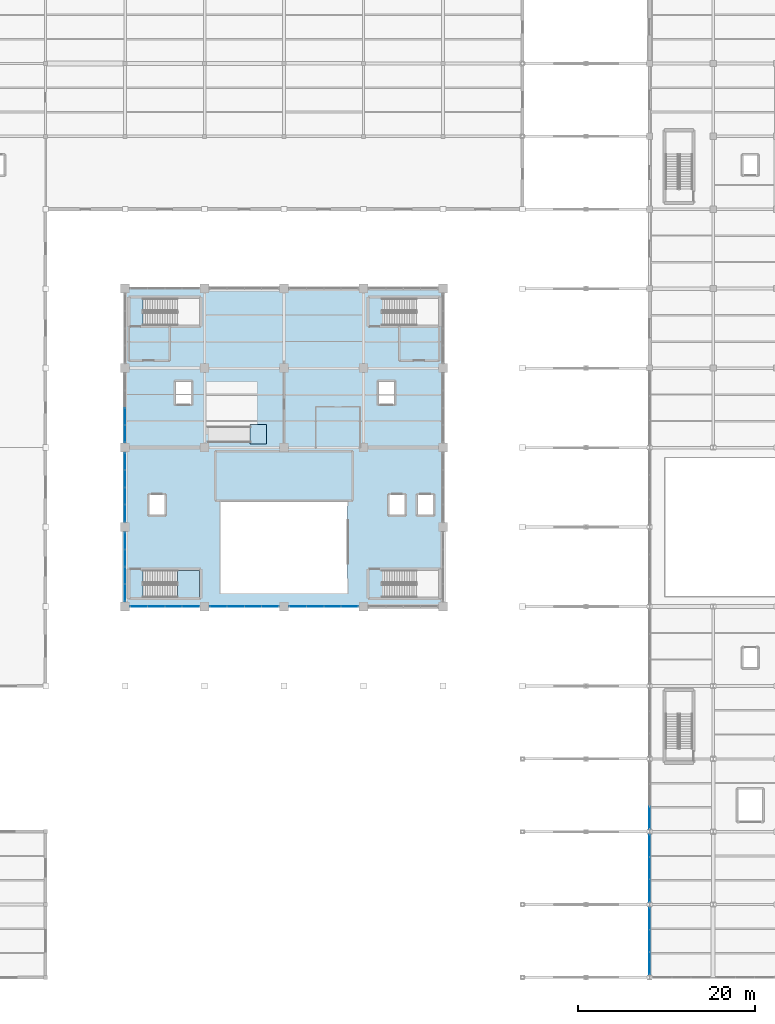
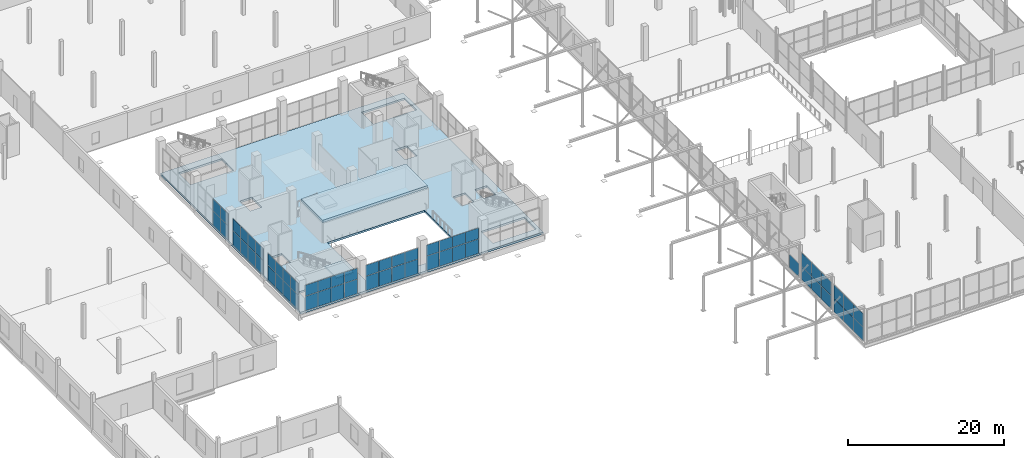
# One storey, part 113 of 147: 57 plates, 4 slabs, 10 elements without a shape of their own.
"""IFC4 building model written with IfcOpenShell, lengths in metres."""

from ifc_helpers import new_model, si_unit, direction, frame, origin, origin_2d, place, context, subcontext, project, spatial, polyline, rectangle, outline, extrude, material, layer, layer_set, type_object, element, aggregate, save


model = new_model("IFC4")

# Units and contexts
model_context = context("Model", 3, precision=1e-05, world=origin(), true_north=direction((0.0, 1.0)))
body_context = subcontext(model_context, "Body", "Model", "MODEL_VIEW")
ifc_project = project(units=[si_unit("LENGTHUNIT", "METRE"), si_unit("AREAUNIT", "SQUARE_METRE"), si_unit("VOLUMEUNIT", "CUBIC_METRE"), si_unit("PLANEANGLEUNIT", "RADIAN"), si_unit("MASSUNIT", "GRAM", prefix="KILO")], contexts=[model_context])

# Site, building, storey
site_placement = place(None, origin())
site = spatial("IfcSite", under=ifc_project, at=site_placement, CompositionType="ELEMENT")
building_placement = place(site_placement, origin())
building = spatial("IfcBuilding", under=site, at=building_placement, Name="Sundgate Opera House", CompositionType="ELEMENT")
storey_placement = place(building_placement, frame((0.0, 0.0, 6.0)))
storey = spatial("IfcBuildingStorey", under=building, at=storey_placement, Name="L01", CompositionType="ELEMENT", Elevation=6.0)

# Curtain wall, plates
ifc_material_1 = material(Name="Anodized aluminium and low-iron glass", Category="aluminium")
ifc_layer_1 = layer(ifc_material_1, 0.179931640625)
ifc_layer_set_1 = layer_set([ifc_layer_1], Name="Anodized aluminium and low-iron glass")
curtain_wall_type_1 = type_object("IfcCurtainWallType", Name="CW-FOYER-GLASS", PredefinedType="NOTDEFINED", material=ifc_layer_set_1)
curtain_wall_1_placement = place(storey_placement, origin())
curtain_wall_1 = element("IfcCurtainWall", 1, at=curtain_wall_1_placement, inside=storey, type_object=curtain_wall_type_1, Name="L01 Curtain Wall CW011", PredefinedType="NOTDEFINED")
ifc_material_2 = material(Name="Low-iron triple acoustic glazing", Category="glass")
ifc_layer_2 = layer(ifc_material_2, 0.035888671875)
ifc_layer_set_2 = layer_set([ifc_layer_2], Name="Low-iron triple acoustic glazing")
plate_type_1 = type_object("IfcPlateType", Name="CWP-CLEAR-36", PredefinedType="CURTAIN_PANEL", material=ifc_layer_set_2)
plate_1_placement = place(storey_placement, frame((43.425048828125, 42.0, 0.02001953125), z_axis=(0.0, 0.0, 1.0), x_axis=(-1.0, 0.0, 0.0)))
plate_1 = element("IfcPlate", 2, at=plate_1_placement, type_object=plate_type_1, Name="CW011 Panel 1", PredefinedType="CURTAIN_PANEL", context=body_context, shape_type="SweptSolid", body=[
    extrude(rectangle(XDim=1.909912109375, YDim=0.035888671875, at=origin_2d()), origin(), (0.0, 0.0, 1.0), 2.260009765625),
])
plate_2_placement = place(storey_placement, frame((43.425048828125, 42.0, 2.320068359375), z_axis=(0.0, 0.0, 1.0), x_axis=(-1.0, 0.0, 0.0)))
plate_2 = element("IfcPlate", 3, at=plate_2_placement, type_object=plate_type_1, Name="CW011 Panel 2", PredefinedType="CURTAIN_PANEL", context=body_context, shape_type="SweptSolid", body=[
    extrude(rectangle(XDim=1.909912109375, YDim=0.035888671875, at=origin_2d()), origin(), (0.0, 0.0, 1.0), 1.705078125),
])
plate_3_placement = place(storey_placement, frame((41.47509765625, 42.0, 0.02001953125), z_axis=(0.0, 0.0, 1.0), x_axis=(-1.0, 0.0, 0.0)))
plate_3 = element("IfcPlate", 4, at=plate_3_placement, type_object=plate_type_1, Name="CW011 Panel 3", PredefinedType="CURTAIN_PANEL", context=body_context, shape_type="SweptSolid", body=[
    extrude(rectangle(XDim=1.909912109375, YDim=0.035888671875, at=origin_2d()), origin(), (0.0, 0.0, 1.0), 2.260009765625),
])
plate_4_placement = place(storey_placement, frame((41.47509765625, 42.0, 2.320068359375), z_axis=(0.0, 0.0, 1.0), x_axis=(-1.0, 0.0, 0.0)))
plate_4 = element("IfcPlate", 5, at=plate_4_placement, type_object=plate_type_1, Name="CW011 Panel 4", PredefinedType="CURTAIN_PANEL", context=body_context, shape_type="SweptSolid", body=[
    extrude(rectangle(XDim=1.909912109375, YDim=0.035888671875, at=origin_2d()), origin(), (0.0, 0.0, 1.0), 1.705078125),
])
plate_5_placement = place(storey_placement, frame((39.52490234375, 42.0, 0.02001953125), z_axis=(0.0, 0.0, 1.0), x_axis=(-1.0, 0.0, 0.0)))
plate_5 = element("IfcPlate", 6, at=plate_5_placement, type_object=plate_type_1, Name="CW011 Panel 5", PredefinedType="CURTAIN_PANEL", context=body_context, shape_type="SweptSolid", body=[
    extrude(rectangle(XDim=1.909912109375, YDim=0.035888671875, at=origin_2d()), origin(), (0.0, 0.0, 1.0), 2.260009765625),
])
plate_6_placement = place(storey_placement, frame((39.52490234375, 42.0, 2.320068359375), z_axis=(0.0, 0.0, 1.0), x_axis=(-1.0, 0.0, 0.0)))
plate_6 = element("IfcPlate", 7, at=plate_6_placement, type_object=plate_type_1, Name="CW011 Panel 6", PredefinedType="CURTAIN_PANEL", context=body_context, shape_type="SweptSolid", body=[
    extrude(rectangle(XDim=1.909912109375, YDim=0.035888671875, at=origin_2d()), origin(), (0.0, 0.0, 1.0), 1.705078125),
])
plate_7_placement = place(storey_placement, frame((37.574951171875, 42.0, 0.02001953125), z_axis=(0.0, 0.0, 1.0), x_axis=(-1.0, 0.0, 0.0)))
plate_7 = element("IfcPlate", 8, at=plate_7_placement, type_object=plate_type_1, Name="CW011 Panel 7", PredefinedType="CURTAIN_PANEL", context=body_context, shape_type="SweptSolid", body=[
    extrude(rectangle(XDim=1.909912109375, YDim=0.035888671875, at=origin_2d()), origin(), (0.0, 0.0, 1.0), 2.260009765625),
])
plate_8_placement = place(storey_placement, frame((37.574951171875, 42.0, 2.320068359375), z_axis=(0.0, 0.0, 1.0), x_axis=(-1.0, 0.0, 0.0)))
plate_8 = element("IfcPlate", 9, at=plate_8_placement, type_object=plate_type_1, Name="CW011 Panel 8", PredefinedType="CURTAIN_PANEL", context=body_context, shape_type="SweptSolid", body=[
    extrude(rectangle(XDim=1.909912109375, YDim=0.035888671875, at=origin_2d()), origin(), (0.0, 0.0, 1.0), 1.705078125),
])
aggregate(curtain_wall_1, [plate_1, plate_2, plate_3, plate_4, plate_5, plate_6, plate_7, plate_8])

curtain_wall_2_placement = place(storey_placement, origin())
curtain_wall_2 = element("IfcCurtainWall", 10, at=curtain_wall_2_placement, inside=storey, type_object=curtain_wall_type_1, Name="L01 Curtain Wall CW012", PredefinedType="NOTDEFINED")
plate_9_placement = place(storey_placement, frame((52.425048828125, 42.0, 0.02001953125), z_axis=(0.0, 0.0, 1.0), x_axis=(-1.0, 0.0, 0.0)))
plate_9 = element("IfcPlate", 11, at=plate_9_placement, type_object=plate_type_1, Name="CW012 Panel 1", PredefinedType="CURTAIN_PANEL", context=body_context, shape_type="SweptSolid", body=[
    extrude(rectangle(XDim=1.909912109375, YDim=0.035888671875, at=origin_2d()), origin(), (0.0, 0.0, 1.0), 2.260009765625),
])
plate_10_placement = place(storey_placement, frame((52.425048828125, 42.0, 2.320068359375), z_axis=(0.0, 0.0, 1.0), x_axis=(-1.0, 0.0, 0.0)))
plate_10 = element("IfcPlate", 12, at=plate_10_placement, type_object=plate_type_1, Name="CW012 Panel 2", PredefinedType="CURTAIN_PANEL", context=body_context, shape_type="SweptSolid", body=[
    extrude(rectangle(XDim=1.909912109375, YDim=0.035888671875, at=origin_2d()), origin(), (0.0, 0.0, 1.0), 1.705078125),
])
plate_11_placement = place(storey_placement, frame((50.47509765625, 42.0, 0.02001953125), z_axis=(0.0, 0.0, 1.0), x_axis=(-1.0, 0.0, 0.0)))
plate_11 = element("IfcPlate", 13, at=plate_11_placement, type_object=plate_type_1, Name="CW012 Panel 3", PredefinedType="CURTAIN_PANEL", context=body_context, shape_type="SweptSolid", body=[
    extrude(rectangle(XDim=1.909912109375, YDim=0.035888671875, at=origin_2d()), origin(), (0.0, 0.0, 1.0), 2.260009765625),
])
plate_12_placement = place(storey_placement, frame((50.47509765625, 42.0, 2.320068359375), z_axis=(0.0, 0.0, 1.0), x_axis=(-1.0, 0.0, 0.0)))
plate_12 = element("IfcPlate", 14, at=plate_12_placement, type_object=plate_type_1, Name="CW012 Panel 4", PredefinedType="CURTAIN_PANEL", context=body_context, shape_type="SweptSolid", body=[
    extrude(rectangle(XDim=1.909912109375, YDim=0.035888671875, at=origin_2d()), origin(), (0.0, 0.0, 1.0), 1.705078125),
])
plate_13_placement = place(storey_placement, frame((48.52490234375, 42.0, 0.02001953125), z_axis=(0.0, 0.0, 1.0), x_axis=(-1.0, 0.0, 0.0)))
plate_13 = element("IfcPlate", 15, at=plate_13_placement, type_object=plate_type_1, Name="CW012 Panel 5", PredefinedType="CURTAIN_PANEL", context=body_context, shape_type="SweptSolid", body=[
    extrude(rectangle(XDim=1.909912109375, YDim=0.035888671875, at=origin_2d()), origin(), (0.0, 0.0, 1.0), 2.260009765625),
])
plate_14_placement = place(storey_placement, frame((48.52490234375, 42.0, 2.320068359375), z_axis=(0.0, 0.0, 1.0), x_axis=(-1.0, 0.0, 0.0)))
plate_14 = element("IfcPlate", 16, at=plate_14_placement, type_object=plate_type_1, Name="CW012 Panel 6", PredefinedType="CURTAIN_PANEL", context=body_context, shape_type="SweptSolid", body=[
    extrude(rectangle(XDim=1.909912109375, YDim=0.035888671875, at=origin_2d()), origin(), (0.0, 0.0, 1.0), 1.705078125),
])
plate_15_placement = place(storey_placement, frame((46.574951171875, 42.0, 0.02001953125), z_axis=(0.0, 0.0, 1.0), x_axis=(-1.0, 0.0, 0.0)))
plate_15 = element("IfcPlate", 17, at=plate_15_placement, type_object=plate_type_1, Name="CW012 Panel 7", PredefinedType="CURTAIN_PANEL", context=body_context, shape_type="SweptSolid", body=[
    extrude(rectangle(XDim=1.909912109375, YDim=0.035888671875, at=origin_2d()), origin(), (0.0, 0.0, 1.0), 2.260009765625),
])
plate_16_placement = place(storey_placement, frame((46.574951171875, 42.0, 2.320068359375), z_axis=(0.0, 0.0, 1.0), x_axis=(-1.0, 0.0, 0.0)))
plate_16 = element("IfcPlate", 18, at=plate_16_placement, type_object=plate_type_1, Name="CW012 Panel 8", PredefinedType="CURTAIN_PANEL", context=body_context, shape_type="SweptSolid", body=[
    extrude(rectangle(XDim=1.909912109375, YDim=0.035888671875, at=origin_2d()), origin(), (0.0, 0.0, 1.0), 1.705078125),
])
aggregate(curtain_wall_2, [plate_9, plate_10, plate_11, plate_12, plate_13, plate_14, plate_15, plate_16])

curtain_wall_3_placement = place(storey_placement, origin())
curtain_wall_3 = element("IfcCurtainWall", 19, at=curtain_wall_3_placement, inside=storey, type_object=curtain_wall_type_1, Name="L01 Curtain Wall CW013", PredefinedType="NOTDEFINED")
plate_17_placement = place(storey_placement, frame((61.425048828125, 42.0, 0.02001953125), z_axis=(0.0, 0.0, 1.0), x_axis=(-1.0, 0.0, 0.0)))
plate_17 = element("IfcPlate", 20, at=plate_17_placement, type_object=plate_type_1, Name="CW013 Panel 1", PredefinedType="CURTAIN_PANEL", context=body_context, shape_type="SweptSolid", body=[
    extrude(rectangle(XDim=1.909912109375, YDim=0.035888671875, at=origin_2d()), origin(), (0.0, 0.0, 1.0), 2.260009765625),
])
plate_18_placement = place(storey_placement, frame((61.425048828125, 42.0, 2.320068359375), z_axis=(0.0, 0.0, 1.0), x_axis=(-1.0, 0.0, 0.0)))
plate_18 = element("IfcPlate", 21, at=plate_18_placement, type_object=plate_type_1, Name="CW013 Panel 2", PredefinedType="CURTAIN_PANEL", context=body_context, shape_type="SweptSolid", body=[
    extrude(rectangle(XDim=1.909912109375, YDim=0.035888671875, at=origin_2d()), origin(), (0.0, 0.0, 1.0), 1.705078125),
])
plate_19_placement = place(storey_placement, frame((59.47509765625, 42.0, 0.02001953125), z_axis=(0.0, 0.0, 1.0), x_axis=(-1.0, 0.0, 0.0)))
plate_19 = element("IfcPlate", 22, at=plate_19_placement, type_object=plate_type_1, Name="CW013 Panel 3", PredefinedType="CURTAIN_PANEL", context=body_context, shape_type="SweptSolid", body=[
    extrude(rectangle(XDim=1.909912109375, YDim=0.035888671875, at=origin_2d()), origin(), (0.0, 0.0, 1.0), 2.260009765625),
])
plate_20_placement = place(storey_placement, frame((59.47509765625, 42.0, 2.320068359375), z_axis=(0.0, 0.0, 1.0), x_axis=(-1.0, 0.0, 0.0)))
plate_20 = element("IfcPlate", 23, at=plate_20_placement, type_object=plate_type_1, Name="CW013 Panel 4", PredefinedType="CURTAIN_PANEL", context=body_context, shape_type="SweptSolid", body=[
    extrude(rectangle(XDim=1.909912109375, YDim=0.035888671875, at=origin_2d()), origin(), (0.0, 0.0, 1.0), 1.705078125),
])
plate_21_placement = place(storey_placement, frame((57.52490234375, 42.0, 0.02001953125), z_axis=(0.0, 0.0, 1.0), x_axis=(-1.0, 0.0, 0.0)))
plate_21 = element("IfcPlate", 24, at=plate_21_placement, type_object=plate_type_1, Name="CW013 Panel 5", PredefinedType="CURTAIN_PANEL", context=body_context, shape_type="SweptSolid", body=[
    extrude(rectangle(XDim=1.909912109375, YDim=0.035888671875, at=origin_2d()), origin(), (0.0, 0.0, 1.0), 2.260009765625),
])
plate_22_placement = place(storey_placement, frame((57.52490234375, 42.0, 2.320068359375), z_axis=(0.0, 0.0, 1.0), x_axis=(-1.0, 0.0, 0.0)))
plate_22 = element("IfcPlate", 25, at=plate_22_placement, type_object=plate_type_1, Name="CW013 Panel 6", PredefinedType="CURTAIN_PANEL", context=body_context, shape_type="SweptSolid", body=[
    extrude(rectangle(XDim=1.909912109375, YDim=0.035888671875, at=origin_2d()), origin(), (0.0, 0.0, 1.0), 1.705078125),
])
plate_23_placement = place(storey_placement, frame((55.574951171875, 42.0, 0.02001953125), z_axis=(0.0, 0.0, 1.0), x_axis=(-1.0, 0.0, 0.0)))
plate_23 = element("IfcPlate", 26, at=plate_23_placement, type_object=plate_type_1, Name="CW013 Panel 7", PredefinedType="CURTAIN_PANEL", context=body_context, shape_type="SweptSolid", body=[
    extrude(rectangle(XDim=1.909912109375, YDim=0.035888671875, at=origin_2d()), origin(), (0.0, 0.0, 1.0), 2.260009765625),
])
plate_24_placement = place(storey_placement, frame((55.574951171875, 42.0, 2.320068359375), z_axis=(0.0, 0.0, 1.0), x_axis=(-1.0, 0.0, 0.0)))
plate_24 = element("IfcPlate", 27, at=plate_24_placement, type_object=plate_type_1, Name="CW013 Panel 8", PredefinedType="CURTAIN_PANEL", context=body_context, shape_type="SweptSolid", body=[
    extrude(rectangle(XDim=1.909912109375, YDim=0.035888671875, at=origin_2d()), origin(), (0.0, 0.0, 1.0), 1.705078125),
])
aggregate(curtain_wall_3, [plate_17, plate_18, plate_19, plate_20, plate_21, plate_22, plate_23, plate_24])

curtain_wall_4_placement = place(storey_placement, origin())
curtain_wall_4 = element("IfcCurtainWall", 28, at=curtain_wall_4_placement, inside=storey, type_object=curtain_wall_type_1, Name="L01 Curtain Wall CW019", PredefinedType="NOTDEFINED")
plate_25_placement = place(storey_placement, frame((36.0, 49.425048828125, 0.02001953125), z_axis=(0.0, 0.0, 1.0), x_axis=(0.0, -1.0, 0.0)))
plate_25 = element("IfcPlate", 29, at=plate_25_placement, type_object=plate_type_1, Name="CW019 Panel 1", PredefinedType="CURTAIN_PANEL", context=body_context, shape_type="SweptSolid", body=[
    extrude(rectangle(XDim=1.909912109375, YDim=0.035888671875, at=origin_2d()), origin(), (0.0, 0.0, 1.0), 2.260009765625),
])
plate_26_placement = place(storey_placement, frame((36.0, 49.425048828125, 2.320068359375), z_axis=(0.0, 0.0, 1.0), x_axis=(0.0, -1.0, 0.0)))
plate_26 = element("IfcPlate", 30, at=plate_26_placement, type_object=plate_type_1, Name="CW019 Panel 2", PredefinedType="CURTAIN_PANEL", context=body_context, shape_type="SweptSolid", body=[
    extrude(rectangle(XDim=1.909912109375, YDim=0.035888671875, at=origin_2d()), origin(), (0.0, 0.0, 1.0), 1.875),
])
plate_27_placement = place(storey_placement, frame((36.0, 47.47509765625, 0.02001953125), z_axis=(0.0, 0.0, 1.0), x_axis=(0.0, -1.0, 0.0)))
plate_27 = element("IfcPlate", 31, at=plate_27_placement, type_object=plate_type_1, Name="CW019 Panel 3", PredefinedType="CURTAIN_PANEL", context=body_context, shape_type="SweptSolid", body=[
    extrude(rectangle(XDim=1.909912109375, YDim=0.035888671875, at=origin_2d()), origin(), (0.0, 0.0, 1.0), 2.260009765625),
])
plate_28_placement = place(storey_placement, frame((36.0, 47.47509765625, 2.320068359375), z_axis=(0.0, 0.0, 1.0), x_axis=(0.0, -1.0, 0.0)))
plate_28 = element("IfcPlate", 32, at=plate_28_placement, type_object=plate_type_1, Name="CW019 Panel 4", PredefinedType="CURTAIN_PANEL", context=body_context, shape_type="SweptSolid", body=[
    extrude(rectangle(XDim=1.909912109375, YDim=0.035888671875, at=origin_2d()), origin(), (0.0, 0.0, 1.0), 1.875),
])
plate_29_placement = place(storey_placement, frame((36.0, 45.52490234375, 0.02001953125), z_axis=(0.0, 0.0, 1.0), x_axis=(0.0, -1.0, 0.0)))
plate_29 = element("IfcPlate", 33, at=plate_29_placement, type_object=plate_type_1, Name="CW019 Panel 5", PredefinedType="CURTAIN_PANEL", context=body_context, shape_type="SweptSolid", body=[
    extrude(rectangle(XDim=1.909912109375, YDim=0.035888671875, at=origin_2d()), origin(), (0.0, 0.0, 1.0), 2.260009765625),
])
plate_30_placement = place(storey_placement, frame((36.0, 45.52490234375, 2.320068359375), z_axis=(0.0, 0.0, 1.0), x_axis=(0.0, -1.0, 0.0)))
plate_30 = element("IfcPlate", 34, at=plate_30_placement, type_object=plate_type_1, Name="CW019 Panel 6", PredefinedType="CURTAIN_PANEL", context=body_context, shape_type="SweptSolid", body=[
    extrude(rectangle(XDim=1.909912109375, YDim=0.035888671875, at=origin_2d()), origin(), (0.0, 0.0, 1.0), 1.875),
])
plate_31_placement = place(storey_placement, frame((36.0, 43.574951171875, 0.02001953125), z_axis=(0.0, 0.0, 1.0), x_axis=(0.0, -1.0, 0.0)))
plate_31 = element("IfcPlate", 35, at=plate_31_placement, type_object=plate_type_1, Name="CW019 Panel 7", PredefinedType="CURTAIN_PANEL", context=body_context, shape_type="SweptSolid", body=[
    extrude(rectangle(XDim=1.909912109375, YDim=0.035888671875, at=origin_2d()), origin(), (0.0, 0.0, 1.0), 2.260009765625),
])
plate_32_placement = place(storey_placement, frame((36.0, 43.574951171875, 2.320068359375), z_axis=(0.0, 0.0, 1.0), x_axis=(0.0, -1.0, 0.0)))
plate_32 = element("IfcPlate", 36, at=plate_32_placement, type_object=plate_type_1, Name="CW019 Panel 8", PredefinedType="CURTAIN_PANEL", context=body_context, shape_type="SweptSolid", body=[
    extrude(rectangle(XDim=1.909912109375, YDim=0.035888671875, at=origin_2d()), origin(), (0.0, 0.0, 1.0), 1.875),
])
aggregate(curtain_wall_4, [plate_25, plate_26, plate_27, plate_28, plate_29, plate_30, plate_31, plate_32])

curtain_wall_5_placement = place(storey_placement, origin())
curtain_wall_5 = element("IfcCurtainWall", 37, at=curtain_wall_5_placement, inside=storey, type_object=curtain_wall_type_1, Name="L01 Curtain Wall CW020", PredefinedType="NOTDEFINED")
plate_33_placement = place(storey_placement, frame((36.0, 58.425048828125, 0.02001953125), z_axis=(0.0, 0.0, 1.0), x_axis=(0.0, -1.0, 0.0)))
plate_33 = element("IfcPlate", 38, at=plate_33_placement, type_object=plate_type_1, Name="CW020 Panel 1", PredefinedType="CURTAIN_PANEL", context=body_context, shape_type="SweptSolid", body=[
    extrude(rectangle(XDim=1.909912109375, YDim=0.035888671875, at=origin_2d()), origin(), (0.0, 0.0, 1.0), 2.260009765625),
])
plate_34_placement = place(storey_placement, frame((36.0, 58.425048828125, 2.320068359375), z_axis=(0.0, 0.0, 1.0), x_axis=(0.0, -1.0, 0.0)))
plate_34 = element("IfcPlate", 39, at=plate_34_placement, type_object=plate_type_1, Name="CW020 Panel 2", PredefinedType="CURTAIN_PANEL", context=body_context, shape_type="SweptSolid", body=[
    extrude(rectangle(XDim=1.909912109375, YDim=0.035888671875, at=origin_2d()), origin(), (0.0, 0.0, 1.0), 1.875),
])
plate_35_placement = place(storey_placement, frame((36.0, 56.47509765625, 0.02001953125), z_axis=(0.0, 0.0, 1.0), x_axis=(0.0, -1.0, 0.0)))
plate_35 = element("IfcPlate", 40, at=plate_35_placement, type_object=plate_type_1, Name="CW020 Panel 3", PredefinedType="CURTAIN_PANEL", context=body_context, shape_type="SweptSolid", body=[
    extrude(rectangle(XDim=1.909912109375, YDim=0.035888671875, at=origin_2d()), origin(), (0.0, 0.0, 1.0), 2.260009765625),
])
plate_36_placement = place(storey_placement, frame((36.0, 56.47509765625, 2.320068359375), z_axis=(0.0, 0.0, 1.0), x_axis=(0.0, -1.0, 0.0)))
plate_36 = element("IfcPlate", 41, at=plate_36_placement, type_object=plate_type_1, Name="CW020 Panel 4", PredefinedType="CURTAIN_PANEL", context=body_context, shape_type="SweptSolid", body=[
    extrude(rectangle(XDim=1.909912109375, YDim=0.035888671875, at=origin_2d()), origin(), (0.0, 0.0, 1.0), 1.875),
])
plate_37_placement = place(storey_placement, frame((36.0, 54.52490234375, 0.02001953125), z_axis=(0.0, 0.0, 1.0), x_axis=(0.0, -1.0, 0.0)))
plate_37 = element("IfcPlate", 42, at=plate_37_placement, type_object=plate_type_1, Name="CW020 Panel 5", PredefinedType="CURTAIN_PANEL", context=body_context, shape_type="SweptSolid", body=[
    extrude(rectangle(XDim=1.909912109375, YDim=0.035888671875, at=origin_2d()), origin(), (0.0, 0.0, 1.0), 2.260009765625),
])
plate_38_placement = place(storey_placement, frame((36.0, 54.52490234375, 2.320068359375), z_axis=(0.0, 0.0, 1.0), x_axis=(0.0, -1.0, 0.0)))
plate_38 = element("IfcPlate", 43, at=plate_38_placement, type_object=plate_type_1, Name="CW020 Panel 6", PredefinedType="CURTAIN_PANEL", context=body_context, shape_type="SweptSolid", body=[
    extrude(rectangle(XDim=1.909912109375, YDim=0.035888671875, at=origin_2d()), origin(), (0.0, 0.0, 1.0), 1.875),
])
plate_39_placement = place(storey_placement, frame((36.0, 52.574951171875, 0.02001953125), z_axis=(0.0, 0.0, 1.0), x_axis=(0.0, -1.0, 0.0)))
plate_39 = element("IfcPlate", 44, at=plate_39_placement, type_object=plate_type_1, Name="CW020 Panel 7", PredefinedType="CURTAIN_PANEL", context=body_context, shape_type="SweptSolid", body=[
    extrude(rectangle(XDim=1.909912109375, YDim=0.035888671875, at=origin_2d()), origin(), (0.0, 0.0, 1.0), 2.260009765625),
])
plate_40_placement = place(storey_placement, frame((36.0, 52.574951171875, 2.320068359375), z_axis=(0.0, 0.0, 1.0), x_axis=(0.0, -1.0, 0.0)))
plate_40 = element("IfcPlate", 45, at=plate_40_placement, type_object=plate_type_1, Name="CW020 Panel 8", PredefinedType="CURTAIN_PANEL", context=body_context, shape_type="SweptSolid", body=[
    extrude(rectangle(XDim=1.909912109375, YDim=0.035888671875, at=origin_2d()), origin(), (0.0, 0.0, 1.0), 1.875),
])
aggregate(curtain_wall_5, [plate_33, plate_34, plate_35, plate_36, plate_37, plate_38, plate_39, plate_40])

curtain_wall_6_placement = place(storey_placement, origin())
curtain_wall_6 = element("IfcCurtainWall", 46, at=curtain_wall_6_placement, inside=storey, type_object=curtain_wall_type_1, Name="L01 Curtain Wall CW021", PredefinedType="NOTDEFINED")
plate_41_placement = place(storey_placement, frame((36.0, 63.52490234375, 0.02001953125), z_axis=(0.0, 0.0, 1.0), x_axis=(0.0, -1.0, 0.0)))
plate_41 = element("IfcPlate", 47, at=plate_41_placement, type_object=plate_type_1, Name="CW021 Panel 5", PredefinedType="CURTAIN_PANEL", context=body_context, shape_type="SweptSolid", body=[
    extrude(rectangle(XDim=1.909912109375, YDim=0.035888671875, at=origin_2d()), origin(), (0.0, 0.0, 1.0), 2.260009765625),
])
plate_42_placement = place(storey_placement, frame((36.0, 63.52490234375, 2.320068359375), z_axis=(0.0, 0.0, 1.0), x_axis=(0.0, -1.0, 0.0)))
plate_42 = element("IfcPlate", 48, at=plate_42_placement, type_object=plate_type_1, Name="CW021 Panel 6", PredefinedType="CURTAIN_PANEL", context=body_context, shape_type="SweptSolid", body=[
    extrude(rectangle(XDim=1.909912109375, YDim=0.035888671875, at=origin_2d()), origin(), (0.0, 0.0, 1.0), 1.875),
])
plate_43_placement = place(storey_placement, frame((36.0, 61.574951171875, 0.02001953125), z_axis=(0.0, 0.0, 1.0), x_axis=(0.0, -1.0, 0.0)))
plate_43 = element("IfcPlate", 49, at=plate_43_placement, type_object=plate_type_1, Name="CW021 Panel 7", PredefinedType="CURTAIN_PANEL", context=body_context, shape_type="SweptSolid", body=[
    extrude(rectangle(XDim=1.909912109375, YDim=0.035888671875, at=origin_2d()), origin(), (0.0, 0.0, 1.0), 2.260009765625),
])
plate_44_placement = place(storey_placement, frame((36.0, 61.574951171875, 2.320068359375), z_axis=(0.0, 0.0, 1.0), x_axis=(0.0, -1.0, 0.0)))
plate_44 = element("IfcPlate", 50, at=plate_44_placement, type_object=plate_type_1, Name="CW021 Panel 8", PredefinedType="CURTAIN_PANEL", context=body_context, shape_type="SweptSolid", body=[
    extrude(rectangle(XDim=1.909912109375, YDim=0.035888671875, at=origin_2d()), origin(), (0.0, 0.0, 1.0), 1.875),
])
aggregate(curtain_wall_6, [plate_41, plate_42, plate_43, plate_44])

ifc_material_3 = material(Name="Anodized aluminium and low-iron glass", Category="aluminium")
ifc_layer_3 = layer(ifc_material_3, 0.14990234375)
ifc_layer_set_3 = layer_set([ifc_layer_3], Name="Anodized aluminium and low-iron glass")
curtain_wall_type_2 = type_object("IfcCurtainWallType", Name="CW-WORKSHOP-DARK", PredefinedType="NOTDEFINED", material=ifc_layer_set_3)
curtain_wall_7_placement = place(storey_placement, origin())
curtain_wall_7 = element("IfcCurtainWall", 51, at=curtain_wall_7_placement, inside=storey, type_object=curtain_wall_type_2, Name="L01 Curtain Wall CW144", PredefinedType="NOTDEFINED")
ifc_material_4 = material(Name="Dark solar-control triple acoustic glazing", Category="glass")
ifc_layer_4 = layer(ifc_material_4, 0.031982421875)
ifc_layer_set_4 = layer_set([ifc_layer_4], Name="Dark solar-control triple acoustic glazing")
plate_type_2 = type_object("IfcPlateType", Name="CWP-DARK-32", PredefinedType="CURTAIN_PANEL", material=ifc_layer_set_4)
plate_45_placement = place(storey_placement, frame((95.39990234375, 6.658447265625, 0.02001953125), z_axis=(0.0, 0.0, 1.0), x_axis=(0.0, -1.0, 0.0)))
plate_45 = element("IfcPlate", 52, at=plate_45_placement, type_object=plate_type_2, Name="CW144 Panel 1", PredefinedType="CURTAIN_PANEL", context=body_context, shape_type="SweptSolid", body=[
    extrude(rectangle(XDim=2.493408203125, YDim=0.031982421875, at=origin_2d()), origin(), (0.0, 0.0, 1.0), 2.06005859375),
])
plate_46_placement = place(storey_placement, frame((95.39990234375, 6.658447265625, 2.1201171875), z_axis=(0.0, 0.0, 1.0), x_axis=(0.0, -1.0, 0.0)))
plate_46 = element("IfcPlate", 53, at=plate_46_placement, type_object=plate_type_2, Name="CW144 Panel 2", PredefinedType="CURTAIN_PANEL", context=body_context, shape_type="SweptSolid", body=[
    extrude(rectangle(XDim=2.493408203125, YDim=0.031982421875, at=origin_2d()), origin(), (0.0, 0.0, 1.0), 2.125),
])
plate_47_placement = place(storey_placement, frame((95.39990234375, 4.125, 0.02001953125), z_axis=(0.0, 0.0, 1.0), x_axis=(0.0, -1.0, 0.0)))
plate_47 = element("IfcPlate", 54, at=plate_47_placement, type_object=plate_type_2, Name="CW144 Panel 3", PredefinedType="CURTAIN_PANEL", context=body_context, shape_type="SweptSolid", body=[
    extrude(rectangle(XDim=2.493408203125, YDim=0.031982421875, at=origin_2d()), origin(), (0.0, 0.0, 1.0), 2.06005859375),
])
plate_48_placement = place(storey_placement, frame((95.39990234375, 4.125, 2.1201171875), z_axis=(0.0, 0.0, 1.0), x_axis=(0.0, -1.0, 0.0)))
plate_48 = element("IfcPlate", 55, at=plate_48_placement, type_object=plate_type_2, Name="CW144 Panel 4", PredefinedType="CURTAIN_PANEL", context=body_context, shape_type="SweptSolid", body=[
    extrude(rectangle(XDim=2.493408203125, YDim=0.031982421875, at=origin_2d()), origin(), (0.0, 0.0, 1.0), 2.125),
])
plate_49_placement = place(storey_placement, frame((95.39990234375, 1.591552734375, 0.02001953125), z_axis=(0.0, 0.0, 1.0), x_axis=(0.0, -1.0, 0.0)))
plate_49 = element("IfcPlate", 56, at=plate_49_placement, type_object=plate_type_2, Name="CW144 Panel 5", PredefinedType="CURTAIN_PANEL", context=body_context, shape_type="SweptSolid", body=[
    extrude(rectangle(XDim=2.493408203125, YDim=0.031982421875, at=origin_2d()), origin(), (0.0, 0.0, 1.0), 2.06005859375),
])
plate_50_placement = place(storey_placement, frame((95.39990234375, 1.591552734375, 2.1201171875), z_axis=(0.0, 0.0, 1.0), x_axis=(0.0, -1.0, 0.0)))
plate_50 = element("IfcPlate", 57, at=plate_50_placement, type_object=plate_type_2, Name="CW144 Panel 6", PredefinedType="CURTAIN_PANEL", context=body_context, shape_type="SweptSolid", body=[
    extrude(rectangle(XDim=2.493408203125, YDim=0.031982421875, at=origin_2d()), origin(), (0.0, 0.0, 1.0), 2.125),
])
aggregate(curtain_wall_7, [plate_45, plate_46, plate_47, plate_48, plate_49, plate_50])

curtain_wall_8_placement = place(storey_placement, origin())
curtain_wall_8 = element("IfcCurtainWall", 58, at=curtain_wall_8_placement, inside=storey, type_object=curtain_wall_type_2, Name="L01 Curtain Wall CW145", PredefinedType="NOTDEFINED")
plate_51_placement = place(storey_placement, frame((95.39990234375, 14.908447265625, 0.02001953125), z_axis=(0.0, 0.0, 1.0), x_axis=(0.0, -1.0, 0.0)))
plate_51 = element("IfcPlate", 59, at=plate_51_placement, type_object=plate_type_2, Name="CW145 Panel 1", PredefinedType="CURTAIN_PANEL", context=body_context, shape_type="SweptSolid", body=[
    extrude(rectangle(XDim=2.493408203125, YDim=0.031982421875, at=origin_2d()), origin(), (0.0, 0.0, 1.0), 2.06005859375),
])
plate_52_placement = place(storey_placement, frame((95.39990234375, 14.908447265625, 2.1201171875), z_axis=(0.0, 0.0, 1.0), x_axis=(0.0, -1.0, 0.0)))
plate_52 = element("IfcPlate", 60, at=plate_52_placement, type_object=plate_type_2, Name="CW145 Panel 2", PredefinedType="CURTAIN_PANEL", context=body_context, shape_type="SweptSolid", body=[
    extrude(rectangle(XDim=2.493408203125, YDim=0.031982421875, at=origin_2d()), origin(), (0.0, 0.0, 1.0), 2.125),
])
plate_53_placement = place(storey_placement, frame((95.39990234375, 12.375, 0.02001953125), z_axis=(0.0, 0.0, 1.0), x_axis=(0.0, -1.0, 0.0)))
plate_53 = element("IfcPlate", 61, at=plate_53_placement, type_object=plate_type_2, Name="CW145 Panel 3", PredefinedType="CURTAIN_PANEL", context=body_context, shape_type="SweptSolid", body=[
    extrude(rectangle(XDim=2.493408203125, YDim=0.031982421875, at=origin_2d()), origin(), (0.0, 0.0, 1.0), 2.06005859375),
])
plate_54_placement = place(storey_placement, frame((95.39990234375, 12.375, 2.1201171875), z_axis=(0.0, 0.0, 1.0), x_axis=(0.0, -1.0, 0.0)))
plate_54 = element("IfcPlate", 62, at=plate_54_placement, type_object=plate_type_2, Name="CW145 Panel 4", PredefinedType="CURTAIN_PANEL", context=body_context, shape_type="SweptSolid", body=[
    extrude(rectangle(XDim=2.493408203125, YDim=0.031982421875, at=origin_2d()), origin(), (0.0, 0.0, 1.0), 2.125),
])
plate_55_placement = place(storey_placement, frame((95.39990234375, 9.841552734375, 0.02001953125), z_axis=(0.0, 0.0, 1.0), x_axis=(0.0, -1.0, 0.0)))
plate_55 = element("IfcPlate", 63, at=plate_55_placement, type_object=plate_type_2, Name="CW145 Panel 5", PredefinedType="CURTAIN_PANEL", context=body_context, shape_type="SweptSolid", body=[
    extrude(rectangle(XDim=2.493408203125, YDim=0.031982421875, at=origin_2d()), origin(), (0.0, 0.0, 1.0), 2.06005859375),
])
plate_56_placement = place(storey_placement, frame((95.39990234375, 9.841552734375, 2.1201171875), z_axis=(0.0, 0.0, 1.0), x_axis=(0.0, -1.0, 0.0)))
plate_56 = element("IfcPlate", 64, at=plate_56_placement, type_object=plate_type_2, Name="CW145 Panel 6", PredefinedType="CURTAIN_PANEL", context=body_context, shape_type="SweptSolid", body=[
    extrude(rectangle(XDim=2.493408203125, YDim=0.031982421875, at=origin_2d()), origin(), (0.0, 0.0, 1.0), 2.125),
])
aggregate(curtain_wall_8, [plate_51, plate_52, plate_53, plate_54, plate_55, plate_56])

# Curtain wall, plate
curtain_wall_9_placement = place(storey_placement, origin())
curtain_wall_9 = element("IfcCurtainWall", 65, at=curtain_wall_9_placement, inside=storey, type_object=curtain_wall_type_2, Name="L01 Curtain Wall CW146", PredefinedType="NOTDEFINED")
plate_57_placement = place(storey_placement, frame((95.39990234375, 18.091552734375, 0.02001953125), z_axis=(0.0, 0.0, 1.0), x_axis=(0.0, -1.0, 0.0)))
plate_57 = element("IfcPlate", 66, at=plate_57_placement, type_object=plate_type_2, Name="CW146 Panel 5", PredefinedType="CURTAIN_PANEL", context=body_context, shape_type="SweptSolid", body=[
    extrude(rectangle(XDim=2.493408203125, YDim=0.031982421875, at=origin_2d()), origin(), (0.0, 0.0, 1.0), 2.06005859375),
])
aggregate(curtain_wall_9, [plate_57])

# Slabs
ifc_material_5 = material(Name="Concrete C40/50", Category="concrete")
ifc_layer_5 = layer(ifc_material_5, 0.300048828125)
ifc_layer_set_5 = layer_set([ifc_layer_5], Name="Concrete C40/50")
slab_type_1 = type_object("IfcSlabType", Name="SL-FLR-300", PredefinedType="FLOOR", material=ifc_layer_set_5)
slab_1_placement = place(storey_placement, frame((0.0, 0.0, -0.300048828125)))
element("IfcSlab", 67, at=slab_1_placement, inside=storey, type_object=slab_type_1, Name="L01 Structural Floor Slab V1", PredefinedType="FLOOR", context=body_context, shape_type="SweptSolid", body=[
    extrude(outline(polyline([(36.0, 42.0), (72.0, 42.0), (72.0, 78.0), (36.0, 78.0), (36.0, 42.0)]), holes=[polyline([(46.800048828125, 53.85009765625), (61.199951171875, 53.85009765625), (61.199951171875, 43.5), (46.800048828125, 43.5), (46.800048828125, 53.85009765625)]), polyline([(38.050048828125, 46.10009765625), (44.449951171875, 46.10009765625), (44.449951171875, 43.050048828125), (38.050048828125, 43.050048828125), (38.050048828125, 46.10009765625)]), polyline([(38.050048828125, 76.89990234375), (44.449951171875, 76.89990234375), (44.449951171875, 73.85009765625), (38.050048828125, 73.85009765625), (38.050048828125, 76.89990234375)]), polyline([(65.14990234375, 46.10009765625), (71.550048828125, 46.10009765625), (71.550048828125, 43.050048828125), (65.14990234375, 43.050048828125), (65.14990234375, 46.10009765625)]), polyline([(65.14990234375, 76.89990234375), (71.550048828125, 76.89990234375), (71.550048828125, 73.85009765625), (65.14990234375, 73.85009765625), (65.14990234375, 76.89990234375)]), polyline([(65.919921875, 54.6298828125), (67.679931640625, 54.6298828125), (67.679931640625, 52.3701171875), (65.919921875, 52.3701171875), (65.919921875, 54.6298828125)]), polyline([(69.1201171875, 54.6298828125), (70.8798828125, 54.6298828125), (70.8798828125, 52.3701171875), (69.1201171875, 52.3701171875), (69.1201171875, 54.6298828125)]), polyline([(38.719970703125, 54.6298828125), (40.47998046875, 54.6298828125), (40.47998046875, 52.3701171875), (38.719970703125, 52.3701171875), (38.719970703125, 54.6298828125)]), polyline([(41.719970703125, 67.47998046875), (43.47998046875, 67.47998046875), (43.47998046875, 64.919921875), (41.719970703125, 64.919921875), (41.719970703125, 67.47998046875)]), polyline([(64.719970703125, 67.47998046875), (66.47998046875, 67.47998046875), (66.47998046875, 64.919921875), (64.719970703125, 64.919921875), (64.719970703125, 67.47998046875)])]), origin(), (0.0, 0.0, 1.0), 0.300048828125),
])
ifc_material_6 = material(Name="Concrete C40/50", Category="concrete")
ifc_layer_6 = layer(ifc_material_6, 0.39990234375)
ifc_layer_set_6 = layer_set([ifc_layer_6], Name="Concrete C40/50")
slab_type_2 = type_object("IfcSlabType", Name="SL-FLR-400", PredefinedType="FLOOR", material=ifc_layer_set_6)
slab_2_placement = place(storey_placement, origin())
element("IfcSlab", 68, at=slab_2_placement, inside=storey, type_object=slab_type_2, Name="Orchestra Musicians Ramp Top Landing Plinth", PredefinedType="FLOOR", context=body_context, shape_type="SweptSolid", body=[
    extrude(outline(polyline([(50.14990234375, 60.39990234375), (52.0, 60.39990234375), (52.0, 62.60009765625), (50.14990234375, 62.60009765625), (50.14990234375, 60.39990234375)])), origin(), (0.0, 0.0, 1.0), 0.39990234375),
])
slab_3_placement = place(storey_placement, frame((0.0, 0.0, 3.199951171875)))
element("IfcSlab", 69, at=slab_3_placement, inside=storey, type_object=slab_type_2, Name="Sunken Orchestra Pit Lift Deck", PredefinedType="FLOOR", context=body_context, shape_type="SweptSolid", body=[
    extrude(outline(polyline([(46.199951171875, 54.0), (61.800048828125, 54.0), (61.800048828125, 59.60009765625), (46.199951171875, 59.60009765625), (46.199951171875, 54.0)])), origin(), (0.0, 0.0, 1.0), 0.400146484375),
])

# Stair, slab
ifc_material_7 = material(Name="Concrete C35/45", Category="concrete")
stair_type = type_object("IfcStairType", Name="ST-HT-30R-1450", PredefinedType="HALF_TURN_STAIR", material=ifc_material_7)
stair_placement = place(storey_placement, origin())
stair = element("IfcStair", 70, at=stair_placement, inside=storey, type_object=stair_type, Name="L01 Escape Stair ST-01", PredefinedType="HALF_TURN_STAIR")
ifc_material_8 = material(Name="Concrete C35/45", Category="concrete")
ifc_layer_7 = layer(ifc_material_8, 0.199951171875)
ifc_layer_set_7 = layer_set([ifc_layer_7], Name="Concrete C35/45")
slab_type_3 = type_object("IfcSlabType", Name="SL-LAND-200", PredefinedType="LANDING", material=ifc_layer_set_7)
slab_4_placement = place(storey_placement, frame((0.0, 0.0, 2.5)))
slab_4 = element("IfcSlab", 71, at=slab_4_placement, type_object=slab_type_3, Name="ST01L01 Landing 1", PredefinedType="LANDING", context=body_context, shape_type="SweptSolid", body=[
    extrude(outline(polyline([(41.919921875, 43.050048828125), (44.449951171875, 43.050048828125), (44.449951171875, 46.10009765625), (41.919921875, 46.10009765625), (41.919921875, 43.050048828125)])), origin(), (0.0, 0.0, 1.0), 0.199951171875),
])
aggregate(stair, [slab_4])

save(model, "model.ifc")
